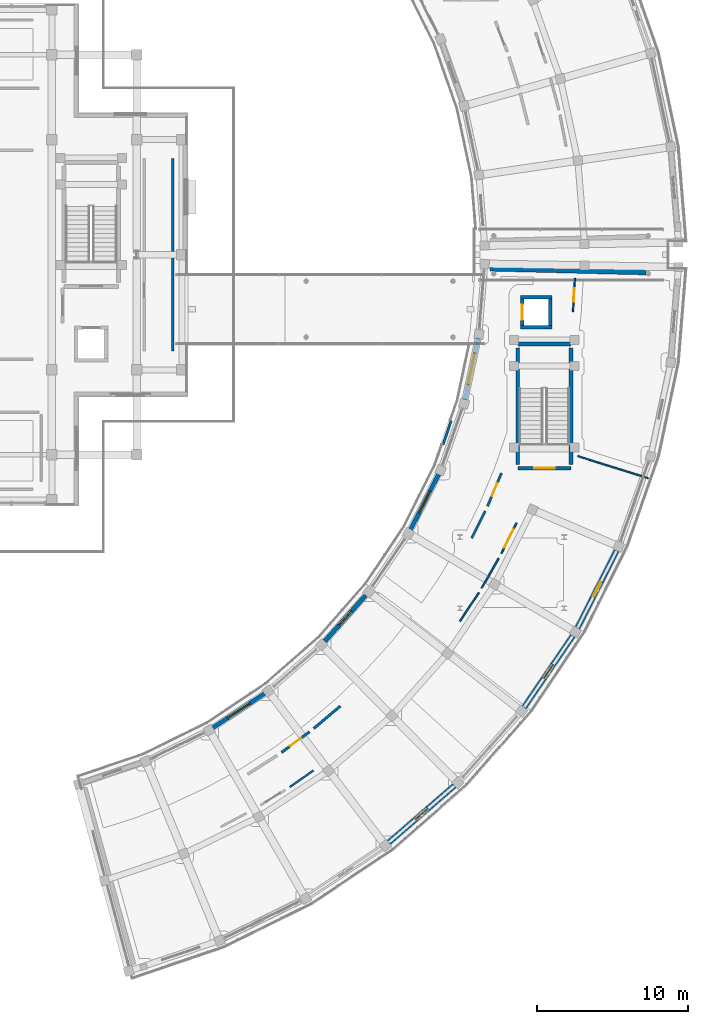
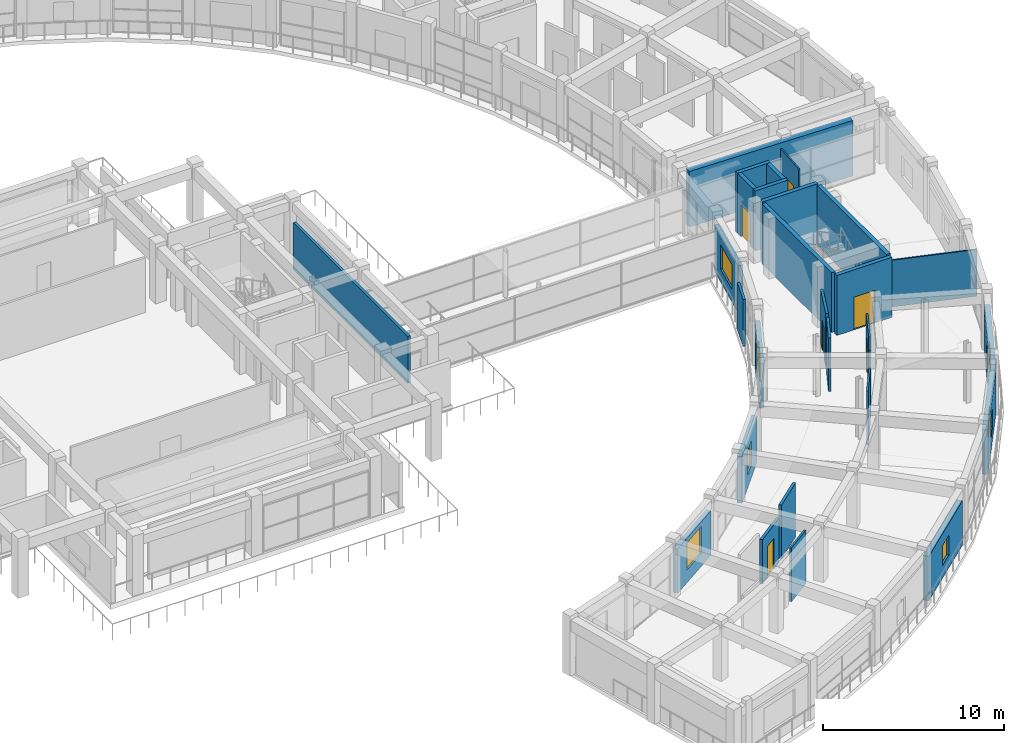
# One storey, part 36 of 53: 28 walls, 7 windows, 6 doors, 13 openings.
"""IFC4 building model written with IfcOpenShell, lengths in metres."""

from ifc_helpers import new_model, si_unit, direction, frame, frame_2d, origin, place, context, subcontext, project, spatial, rectangle, extrude, material, layer, layer_set, type_object, element, fill, save


model = new_model("IFC4")

# Units and contexts
model_context = context("Model", 3, precision=1e-05, world=origin(), true_north=direction((0.0, 1.0)))
body_context = subcontext(model_context, "Body", "Model", "MODEL_VIEW")
ifc_project = project(units=[si_unit("LENGTHUNIT", "METRE"), si_unit("AREAUNIT", "SQUARE_METRE"), si_unit("VOLUMEUNIT", "CUBIC_METRE"), si_unit("PLANEANGLEUNIT", "RADIAN"), si_unit("MASSUNIT", "GRAM", prefix="KILO")], contexts=[model_context])

# Site, building, storey
site_placement = place(None, origin())
site = spatial("IfcSite", under=ifc_project, at=site_placement, CompositionType="ELEMENT")
building_placement = place(site_placement, origin())
building = spatial("IfcBuilding", under=site, at=building_placement, Name="Saryqyr Civic Hall", CompositionType="ELEMENT")
storey_placement = place(building_placement, frame((0.0, 0.0, 21.300048828125)))
storey = spatial("IfcBuildingStorey", under=building, at=storey_placement, Name="L05", CompositionType="ELEMENT", Elevation=21.300048828125)

# Wall, opening, window
ifc_material_1 = material(Name="Precast concrete C40/50", Category="concrete")
ifc_layer_1 = layer(ifc_material_1, 0.2900390625, Name="Precast concrete C40/50")
ifc_layer_set_1 = layer_set([ifc_layer_1], Name="Precast concrete C40/50")
wall_type_1 = type_object("IfcWallType", Name="ENV-WAL-EXT-290", PredefinedType="STANDARD", material=ifc_layer_set_1)
wall_1_placement = place(storey_placement, frame((75.23095703125, 52.74560546875, 0.0), z_axis=(0.0, 0.0, 1.0), x_axis=(0.833763777336, 0.552121330508, 0.0)))
wall_1 = element("IfcWall", 1, at=wall_1_placement, inside=storey, type_object=wall_type_1, Name="Exterior wall V5-EWI-L05-02", PredefinedType="STANDARD", context=body_context, shape_type="SweptSolid", body=[
    extrude(rectangle(XDim=4.111572265625, YDim=0.2900390625, at=frame_2d((2.0556640625, 0.0))), origin(), (0.0, 0.0, 1.0), 3.0048828125),
])
opening_1_placement = place(wall_1_placement, frame((1.180908203125, 0.0, 0.85009765625)))
opening_1 = element("IfcOpeningElement", 2, at=opening_1_placement, cuts=wall_1, Name="Opening W-27", PredefinedType="OPENING", context=body_context, shape_type="SweptSolid", body=[
    extrude(rectangle(XDim=1.75, YDim=1.85009765625, at=frame_2d((0.875, 0.925048828125))), frame((0.0, 0.155029296875, 0.0), z_axis=(0.0, -1.0, 0.0), x_axis=(1.0, 0.0, 0.0)), (0.0, 0.0, 1.0), 0.31005859375),
])
ifc_material_2 = material(Name="Anodised aluminium and triple low-E glass", Category="aluminium")
window_type_1 = type_object("IfcWindowType", Name="ENV-WIN-W27", PartitioningType="SINGLE_PANEL", PredefinedType="WINDOW", material=ifc_material_2)
window_1_placement = place(opening_1_placement, origin())
window_1 = element("IfcWindow", 3, at=window_1_placement, inside=storey, type_object=window_type_1, Name="Courtyard window V5-L05-02", OverallHeight=1.85009765625, OverallWidth=1.75, PartitioningType="SINGLE_PANEL", PredefinedType="WINDOW", context=body_context, shape_type="SweptSolid", body=[
    extrude(rectangle(XDim=1.75, YDim=1.85009765625, at=frame_2d((0.875, 0.925048828125))), frame((0.0, 0.030029296875, 0.0), z_axis=(0.0, -1.0, 0.0), x_axis=(1.0, 0.0, 0.0)), (0.0, 0.0, 1.0), 0.06005859375),
])
fill(opening_1, window_1)

wall_2_placement = place(storey_placement, frame((82.635986328125, 58.468505859375, 0.0), z_axis=(0.0, 0.0, 1.0), x_axis=(0.664947894459, 0.74688974933, 0.0)))
wall_2 = element("IfcWall", 4, at=wall_2_placement, inside=storey, type_object=wall_type_1, Name="Exterior wall V5-EWI-L05-04", PredefinedType="STANDARD", context=body_context, shape_type="SweptSolid", body=[
    extrude(rectangle(XDim=4.046142578125, YDim=0.2900390625, at=frame_2d((2.02294921875, 0.0))), origin(), (0.0, 0.0, 1.0), 3.155029296875),
])
opening_2_placement = place(wall_2_placement, frame((1.423095703125, 0.0, 0.85009765625)))
opening_2 = element("IfcOpeningElement", 5, at=opening_2_placement, cuts=wall_2, Name="Opening W-17", PredefinedType="OPENING", context=body_context, shape_type="SweptSolid", body=[
    extrude(rectangle(XDim=1.199951171875, YDim=1.64990234375, at=frame_2d((0.60009765625, 0.824951171875))), frame((0.0, 0.155029296875, 0.0), z_axis=(0.0, -1.0, 0.0), x_axis=(1.0, 0.0, 0.0)), (0.0, 0.0, 1.0), 0.31005859375),
])
window_type_2 = type_object("IfcWindowType", Name="ENV-WIN-W17", PartitioningType="SINGLE_PANEL", PredefinedType="WINDOW", material=ifc_material_2)
window_2_placement = place(opening_2_placement, origin())
window_2 = element("IfcWindow", 6, at=window_2_placement, inside=storey, type_object=window_type_2, Name="Courtyard window V5-L05-04", OverallHeight=1.64990234375, OverallWidth=1.199951171875, PartitioningType="SINGLE_PANEL", PredefinedType="WINDOW", context=body_context, shape_type="SweptSolid", body=[
    extrude(rectangle(XDim=1.199951171875, YDim=1.64990234375, at=frame_2d((0.60009765625, 0.824951171875))), frame((0.0, 0.030029296875, 0.0), z_axis=(0.0, -1.0, 0.0), x_axis=(1.0, 0.0, 0.0)), (0.0, 0.0, 1.0), 0.06005859375),
])
fill(opening_2, window_2)

wall_3_placement = place(storey_placement, frame((88.28759765625, 65.823974609375, 0.0), z_axis=(0.0, 0.0, 1.0), x_axis=(0.451915465701, 0.89206076691, 0.0)))
wall_3 = element("IfcWall", 7, at=wall_3_placement, inside=storey, type_object=wall_type_1, Name="Exterior wall V5-EWI-L05-06", PredefinedType="STANDARD", context=body_context, shape_type="SweptSolid", body=[
    extrude(rectangle(XDim=4.1484375, YDim=0.2900390625, at=frame_2d((2.07421875, 0.0))), origin(), (0.0, 0.0, 1.0), 3.0048828125),
])
opening_3_placement = place(wall_3_placement, frame((1.27392578125, 0.0, 0.85009765625)))
opening_3 = element("IfcOpeningElement", 8, at=opening_3_placement, cuts=wall_3, Name="Opening W-19", PredefinedType="OPENING", context=body_context, shape_type="SweptSolid", body=[
    extrude(rectangle(XDim=1.60009765625, YDim=1.64990234375, at=frame_2d((0.800048828125, 0.824951171875))), frame((0.0, 0.155029296875, 0.0), z_axis=(0.0, -1.0, 0.0), x_axis=(1.0, 0.0, 0.0)), (0.0, 0.0, 1.0), 0.31005859375),
])
window_type_3 = type_object("IfcWindowType", Name="ENV-WIN-W19", PartitioningType="SINGLE_PANEL", PredefinedType="WINDOW", material=ifc_material_2)
window_3_placement = place(opening_3_placement, origin())
window_3 = element("IfcWindow", 9, at=window_3_placement, inside=storey, type_object=window_type_3, Name="Courtyard window V5-L05-06", OverallHeight=1.64990234375, OverallWidth=1.60009765625, PartitioningType="SINGLE_PANEL", PredefinedType="WINDOW", context=body_context, shape_type="SweptSolid", body=[
    extrude(rectangle(XDim=1.60009765625, YDim=1.64990234375, at=frame_2d((0.800048828125, 0.824951171875))), frame((0.0, 0.030029296875, 0.0), z_axis=(0.0, -1.0, 0.0), x_axis=(1.0, 0.0, 0.0)), (0.0, 0.0, 1.0), 0.06005859375),
])
fill(opening_3, window_3)

wall_4_placement = place(storey_placement, frame((91.889404296875, 74.40283203125, 0.0), z_axis=(0.0, 0.0, 1.0), x_axis=(0.208893062569, 0.977938489073, 0.0)))
wall_4 = element("IfcWall", 10, at=wall_4_placement, inside=storey, type_object=wall_type_1, Name="Exterior wall V5-EWI-L05-08", PredefinedType="STANDARD", context=body_context, shape_type="SweptSolid", body=[
    extrude(rectangle(XDim=4.194580078125, YDim=0.2900390625, at=frame_2d((2.09716796875, 0.0))), origin(), (0.0, 0.0, 1.0), 3.155029296875),
])
opening_4_placement = place(wall_4_placement, frame((1.047119140625, 0.0, 0.85009765625)))
opening_4 = element("IfcOpeningElement", 11, at=opening_4_placement, cuts=wall_4, Name="Opening W-21", PredefinedType="OPENING", context=body_context, shape_type="SweptSolid", body=[
    extrude(rectangle(XDim=2.10009765625, YDim=1.64990234375, at=frame_2d((1.050048828125, 0.824951171875))), frame((0.0, 0.155029296875, 0.0), z_axis=(0.0, -1.0, 0.0), x_axis=(1.0, 0.0, 0.0)), (0.0, 0.0, 1.0), 0.31005859375),
])
window_type_4 = type_object("IfcWindowType", Name="ENV-WIN-W21", PartitioningType="SINGLE_PANEL", PredefinedType="WINDOW", material=ifc_material_2)
window_4_placement = place(opening_4_placement, origin())
window_4 = element("IfcWindow", 12, at=window_4_placement, inside=storey, type_object=window_type_4, Name="Courtyard window V5-L05-08", OverallHeight=1.64990234375, OverallWidth=2.10009765625, PartitioningType="SINGLE_PANEL", PredefinedType="WINDOW", context=body_context, shape_type="SweptSolid", body=[
    extrude(rectangle(XDim=2.10009765625, YDim=1.64990234375, at=frame_2d((1.050048828125, 0.824951171875))), frame((0.0, 0.030029296875, 0.0), z_axis=(0.0, -1.0, 0.0), x_axis=(1.0, 0.0, 0.0)), (0.0, 0.0, 1.0), 0.06005859375),
])
fill(opening_4, window_4)

ifc_layer_2 = layer(ifc_material_1, 0.340087890625, Name="Precast concrete C40/50")
ifc_layer_set_2 = layer_set([ifc_layer_2], Name="Precast concrete C40/50")
wall_type_2 = type_object("IfcWallType", Name="ENV-WAL-EXT-340", PredefinedType="STANDARD", material=ifc_layer_set_2)
wall_5_placement = place(storey_placement, frame((91.1826171875, 48.9189453125, 0.0), z_axis=(0.0, 0.0, 1.0), x_axis=(-0.755648143479, -0.654977773101, 0.0)))
wall_5 = element("IfcWall", 13, at=wall_5_placement, inside=storey, type_object=wall_type_2, Name="Exterior wall V5-EWO-L05-03", PredefinedType="STANDARD", context=body_context, shape_type="SweptSolid", body=[
    extrude(rectangle(XDim=5.706298828125, YDim=0.340087890625, at=frame_2d((2.85302734375, 0.0))), origin(), (0.0, 0.0, 1.0), 3.0048828125),
])
opening_5_placement = place(wall_5_placement, frame((2.302978515625, 0.0, 0.85009765625)))
opening_5 = element("IfcOpeningElement", 14, at=opening_5_placement, cuts=wall_5, Name="Opening W-01", PredefinedType="OPENING", context=body_context, shape_type="SweptSolid", body=[
    extrude(rectangle(XDim=1.10009765625, YDim=1.35009765625, at=frame_2d((0.550048828125, 0.675048828125))), frame((0.0, 0.179931640625, 0.0), z_axis=(0.0, -1.0, 0.0), x_axis=(1.0, 0.0, 0.0)), (0.0, 0.0, 1.0), 0.360107421875),
])
window_type_5 = type_object("IfcWindowType", Name="ENV-WIN-W01", PartitioningType="SINGLE_PANEL", PredefinedType="WINDOW", material=ifc_material_2)
window_5_placement = place(opening_5_placement, origin())
window_5 = element("IfcWindow", 15, at=window_5_placement, inside=storey, type_object=window_type_5, Name="Exterior ribbon window V5-L05-03", OverallHeight=1.35009765625, OverallWidth=1.10009765625, PartitioningType="SINGLE_PANEL", PredefinedType="WINDOW", context=body_context, shape_type="SweptSolid", body=[
    extrude(rectangle(XDim=1.10009765625, YDim=1.35009765625, at=frame_2d((0.550048828125, 0.675048828125))), frame((0.0, 0.030029296875, 0.0), z_axis=(0.0, -1.0, 0.0), x_axis=(1.0, 0.0, 0.0)), (0.0, 0.0, 1.0), 0.06005859375),
])
fill(opening_5, window_5)

wall_6_placement = place(storey_placement, frame((99.029296875, 58.843994140625, 0.0), z_axis=(0.0, 0.0, 1.0), x_axis=(-0.563132935525, -0.826366321269, 0.0)))
wall_6 = element("IfcWall", 16, at=wall_6_placement, inside=storey, type_object=wall_type_2, Name="Exterior wall V5-EWO-L05-05", PredefinedType="STANDARD", context=body_context, shape_type="SweptSolid", body=[
    extrude(rectangle(XDim=5.759521484375, YDim=0.340087890625, at=frame_2d((2.8798828125, 0.0))), origin(), (0.0, 0.0, 1.0), 3.0048828125),
])
opening_6_placement = place(wall_6_placement, frame((2.330078125, 0.0, 0.85009765625)))
opening_6 = element("IfcOpeningElement", 17, at=opening_6_placement, cuts=wall_6, Name="Opening W-01", PredefinedType="OPENING", context=body_context, shape_type="SweptSolid", body=[
    extrude(rectangle(XDim=1.10009765625, YDim=1.35009765625, at=frame_2d((0.550048828125, 0.675048828125))), frame((0.0, 0.179931640625, 0.0), z_axis=(0.0, -1.0, 0.0), x_axis=(1.0, 0.0, 0.0)), (0.0, 0.0, 1.0), 0.360107421875),
])
window_6_placement = place(opening_6_placement, origin())
window_6 = element("IfcWindow", 18, at=window_6_placement, inside=storey, type_object=window_type_5, Name="Exterior ribbon window V5-L05-05", OverallHeight=1.35009765625, OverallWidth=1.10009765625, PartitioningType="SINGLE_PANEL", PredefinedType="WINDOW", context=body_context, shape_type="SweptSolid", body=[
    extrude(rectangle(XDim=1.10009765625, YDim=1.35009765625, at=frame_2d((0.550048828125, 0.675048828125))), frame((0.0, 0.030029296875, 0.0), z_axis=(0.0, -1.0, 0.0), x_axis=(1.0, 0.0, 0.0)), (0.0, 0.0, 1.0), 0.06005859375),
])
fill(opening_6, window_6)

wall_7_placement = place(storey_placement, frame((101.930419921875, 64.489501953125, 0.0), z_axis=(0.0, 0.0, 1.0), x_axis=(-0.451920591159, -0.892058170349, 0.0)))
wall_7 = element("IfcWall", 19, at=wall_7_placement, inside=storey, type_object=wall_type_2, Name="Exterior wall V5-EWO-L05-06", PredefinedType="STANDARD", context=body_context, shape_type="SweptSolid", body=[
    extrude(rectangle(XDim=5.801513671875, YDim=0.340087890625, at=frame_2d((2.90087890625, 0.0))), origin(), (0.0, 0.0, 1.0), 3.0048828125),
])
opening_7_placement = place(wall_7_placement, frame((2.35107421875, 0.0, 0.85009765625)))
opening_7 = element("IfcOpeningElement", 20, at=opening_7_placement, cuts=wall_7, Name="Opening W-01", PredefinedType="OPENING", context=body_context, shape_type="SweptSolid", body=[
    extrude(rectangle(XDim=1.10009765625, YDim=1.35009765625, at=frame_2d((0.550048828125, 0.675048828125))), frame((0.0, 0.179931640625, 0.0), z_axis=(0.0, -1.0, 0.0), x_axis=(1.0, 0.0, 0.0)), (0.0, 0.0, 1.0), 0.360107421875),
])
window_7_placement = place(opening_7_placement, origin())
window_7 = element("IfcWindow", 21, at=window_7_placement, inside=storey, type_object=window_type_5, Name="Exterior ribbon window V5-L05-06", OverallHeight=1.35009765625, OverallWidth=1.10009765625, PartitioningType="SINGLE_PANEL", PredefinedType="WINDOW", context=body_context, shape_type="SweptSolid", body=[
    extrude(rectangle(XDim=1.10009765625, YDim=1.35009765625, at=frame_2d((0.550048828125, 0.675048828125))), frame((0.0, 0.030029296875, 0.0), z_axis=(0.0, -1.0, 0.0), x_axis=(1.0, 0.0, 0.0)), (0.0, 0.0, 1.0), 0.06005859375),
])
fill(opening_7, window_7)

# Wall
ifc_material_3 = material(Name="Concrete C40/50", Category="concrete")
ifc_layer_3 = layer(ifc_material_3, 0.3798828125, Name="Concrete C40/50")
ifc_layer_set_3 = layer_set([ifc_layer_3], Name="Concrete C40/50")
wall_type_3 = type_object("IfcWallType", Name="ENV-WAL-PTY-380", PredefinedType="SHEAR", material=ifc_layer_set_3)
wall_8_placement = place(storey_placement, frame((93.5390625, 83.10693359375, 0.0), z_axis=(0.0, 0.0, 1.0), x_axis=(0.999701591947, -0.024427997417, 0.0)))
element("IfcWall", 22, at=wall_8_placement, inside=storey, type_object=wall_type_3, Name="Exterior wall V5-JNTW-B-L05", PredefinedType="SHEAR", context=body_context, shape_type="SweptSolid", body=[
    extrude(rectangle(XDim=10.314208984375, YDim=0.3798828125, at=frame_2d((5.1572265625, 0.0))), origin(), (0.0, 0.0, 1.0), 3.75),
])

# Wall, opening, door
ifc_material_4 = material(Name="Lightweight demountable partition", Category="gypsum")
ifc_layer_4 = layer(ifc_material_4, 0.094970703125, Name="Lightweight demountable partition")
ifc_layer_set_4 = layer_set([ifc_layer_4], Name="Lightweight demountable partition")
wall_type_4 = type_object("IfcWallType", Name="INT-WAL-PRT-095", PredefinedType="PARTITIONING", material=ifc_layer_set_4)
wall_9_placement = place(storey_placement, frame((99.02490234375, 80.223876953125, 0.0), z_axis=(0.0, 0.0, 1.0), x_axis=(0.058613248542, 0.998280765664, 0.0)))
wall_9 = element("IfcWall", 23, at=wall_9_placement, inside=storey, type_object=wall_type_4, Name="Interior partition PRT-SP-V5-L05-R03-W1", PredefinedType="PARTITIONING", context=body_context, shape_type="SweptSolid", body=[
    extrude(rectangle(XDim=2.23681640625, YDim=0.094970703125, at=frame_2d((1.118408203125, 0.0))), origin(), (0.0, 0.0, 1.0), 3.6298828125),
])
opening_8_placement = place(wall_9_placement, frame((0.66796875, 0.0, 0.0)))
opening_8 = element("IfcOpeningElement", 24, at=opening_8_placement, cuts=wall_9, Name="Opening D-01", PredefinedType="OPENING", context=body_context, shape_type="SweptSolid", body=[
    extrude(rectangle(XDim=0.89990234375, YDim=2.10009765625, at=frame_2d((0.449951171875, 1.050048828125))), frame((0.0, 0.057373046875, 0.0), z_axis=(0.0, -1.0, 0.0), x_axis=(1.0, 0.0, 0.0)), (0.0, 0.0, 1.0), 0.114990234375),
])
ifc_material_5 = material(Name="Acoustic solid-core oak veneer", Category="wood")
door_type_1 = type_object("IfcDoorType", Name="INT-DR-D-01", OperationType="NOTDEFINED", PredefinedType="DOOR", material=ifc_material_5)
door_1_placement = place(opening_8_placement, origin())
door_1 = element("IfcDoor", 25, at=door_1_placement, inside=storey, type_object=door_type_1, Name="Interior door Members' Lounge & Accessible MGN WC L05-E", OperationType="SINGLE_SWING_LEFT", OverallHeight=2.10009765625, OverallWidth=0.89990234375, PredefinedType="DOOR", context=body_context, shape_type="SweptSolid", body=[
    extrude(rectangle(XDim=0.89990234375, YDim=2.10009765625, at=frame_2d((0.449951171875, 1.050048828125))), frame((0.0, 0.02490234375, 0.0), z_axis=(0.0, -1.0, 0.0), x_axis=(1.0, 0.0, 0.0)), (0.0, 0.0, 1.0), 0.050048828125),
])
fill(opening_8, door_1)

# Walls
wall_10_placement = place(storey_placement, frame((103.998046875, 69.23388671875, 0.0), z_axis=(0.0, 0.0, 1.0), x_axis=(-0.953940529117, 0.299995778149, 0.0)))
element("IfcWall", 26, at=wall_10_placement, inside=storey, type_object=wall_type_4, Name="Interior partition PRT-SP-V5-L05-R03-W2", PredefinedType="PARTITIONING", context=body_context, shape_type="SweptSolid", body=[
    extrude(rectangle(XDim=4.8779296875, YDim=0.094970703125, at=frame_2d((2.43896484375, 0.0))), origin(), (0.0, 0.0, 1.0), 3.155029296875),
])
ifc_material_6 = material(Name="Moisture-resistant gypsum partition", Category="gypsum")
ifc_layer_5 = layer(ifc_material_6, 0.110107421875, Name="Moisture-resistant gypsum partition")
ifc_layer_set_5 = layer_set([ifc_layer_5], Name="Moisture-resistant gypsum partition")
wall_type_5 = type_object("IfcWallType", Name="INT-WAL-PRT-110", PredefinedType="PARTITIONING", material=ifc_layer_set_5)
wall_11_placement = place(storey_placement, frame((92.995361328125, 61.9833984375, 0.0), z_axis=(0.0, 0.0, 1.0), x_axis=(0.498777577471, 0.866730020371, 0.0)))
element("IfcWall", 27, at=wall_11_placement, inside=storey, type_object=wall_type_5, Name="Interior partition PRT-SP-V5-L05-R02-W1", PredefinedType="PARTITIONING", context=body_context, shape_type="SweptSolid", body=[
    extrude(rectangle(XDim=2.260009765625, YDim=0.110107421875, at=frame_2d((1.1298828125, 0.0))), origin(), (0.0, 0.0, 1.0), 3.0048828125),
])
wall_12_placement = place(storey_placement, frame((91.559814453125, 59.7919921875, 0.0), z_axis=(0.0, 0.0, 1.0), x_axis=(0.551555325105, 0.834138311881, 0.0)))
element("IfcWall", 28, at=wall_12_placement, inside=storey, type_object=wall_type_5, Name="Interior partition PRT-SP-V5-L05-R02-W2", PredefinedType="PARTITIONING", context=body_context, shape_type="SweptSolid", body=[
    extrude(rectangle(XDim=2.260009765625, YDim=0.110107421875, at=frame_2d((1.1298828125, 0.0))), origin(), (0.0, 0.0, 1.0), 3.6298828125),
])

# Wall, opening, door
wall_13_placement = place(storey_placement, frame((94.292236328125, 64.259521484375, 0.0), z_axis=(0.0, 0.0, 1.0), x_axis=(0.444056726706, 0.895998673809, 0.0)))
wall_13 = element("IfcWall", 29, at=wall_13_placement, inside=storey, type_object=wall_type_5, Name="Interior partition PRT-SP-V5-L05-R02-W3", PredefinedType="PARTITIONING", context=body_context, shape_type="SweptSolid", body=[
    extrude(rectangle(XDim=2.26025390625, YDim=0.110107421875, at=frame_2d((1.130126953125, 0.0))), origin(), (0.0, 0.0, 1.0), 3.6298828125),
])
opening_9_placement = place(wall_13_placement, frame((0.429931640625, 0.0, 0.0)))
opening_9 = element("IfcOpeningElement", 30, at=opening_9_placement, cuts=wall_13, Name="Opening D-18", PredefinedType="OPENING", context=body_context, shape_type="SweptSolid", body=[
    extrude(rectangle(XDim=1.39990234375, YDim=2.35009765625, at=frame_2d((0.699951171875, 1.175048828125))), frame((0.0, 0.06494140625, 0.0), z_axis=(0.0, -1.0, 0.0), x_axis=(1.0, 0.0, 0.0)), (0.0, 0.0, 1.0), 0.130126953125),
])
door_type_2 = type_object("IfcDoorType", Name="INT-DR-D-18", OperationType="NOTDEFINED", PredefinedType="DOOR", material=ifc_material_5)
door_2_placement = place(opening_9_placement, origin())
door_2 = element("IfcDoor", 31, at=door_2_placement, inside=storey, type_object=door_type_2, Name="Interior door Elected Members' Working Offices", OperationType="SINGLE_SWING_RIGHT", OverallHeight=2.35009765625, OverallWidth=1.39990234375, PredefinedType="DOOR", context=body_context, shape_type="SweptSolid", body=[
    extrude(rectangle(XDim=1.39990234375, YDim=2.35009765625, at=frame_2d((0.699951171875, 1.175048828125))), frame((0.0, 0.02490234375, 0.0), z_axis=(0.0, -1.0, 0.0), x_axis=(1.0, 0.0, 0.0)), (0.0, 0.0, 1.0), 0.050048828125),
])
fill(opening_9, door_2)

# Wall
ifc_material_7 = material(Name="Metal-stud gypsum board partition", Category="gypsum")
ifc_layer_6 = layer(ifc_material_7, 0.125, Name="Metal-stud gypsum board partition")
ifc_layer_set_6 = layer_set([ifc_layer_6], Name="Metal-stud gypsum board partition")
wall_type_6 = type_object("IfcWallType", Name="INT-WAL-PRT-125", PredefinedType="PARTITIONING", material=ifc_layer_set_6)
wall_14_placement = place(storey_placement, frame((80.319580078125, 48.834716796875, 0.0), z_axis=(0.0, 0.0, 1.0), x_axis=(0.818190069191, 0.574947833005, 0.0)))
element("IfcWall", 32, at=wall_14_placement, inside=storey, type_object=wall_type_6, Name="Interior partition PRT-SP-V5-L05-R01-W2", PredefinedType="PARTITIONING", context=body_context, shape_type="SweptSolid", body=[
    extrude(rectangle(XDim=1.906982421875, YDim=0.125, at=frame_2d((0.95361328125, 0.0))), origin(), (0.0, 0.0, 1.0), 3.6298828125),
])

# Wall, opening, door
ifc_material_8 = material(Name="Acoustic double-stud gypsum board", Category="gypsum")
ifc_layer_7 = layer(ifc_material_8, 0.155029296875, Name="Acoustic double-stud gypsum board")
ifc_layer_set_7 = layer_set([ifc_layer_7], Name="Acoustic double-stud gypsum board")
wall_type_7 = type_object("IfcWallType", Name="INT-WAL-PRT-155", PredefinedType="PARTITIONING", material=ifc_layer_set_7)
wall_15_placement = place(storey_placement, frame((94.302490234375, 69.575439453125, 0.0), z_axis=(0.0, 0.0, 1.0), x_axis=(-0.388172287911, -0.921586824395, 0.0)))
wall_15 = element("IfcWall", 33, at=wall_15_placement, inside=storey, type_object=wall_type_7, Name="Interior partition PRT-SP-V5-L05-R05-W1", PredefinedType="PARTITIONING", context=body_context, shape_type="SweptSolid", body=[
    extrude(rectangle(XDim=2.36669921875, YDim=0.155029296875, at=frame_2d((1.183349609375, 0.0))), origin(), (0.0, 0.0, 1.0), 3.6298828125),
])
opening_10_placement = place(wall_15_placement, frame((0.73291015625, 0.0, 0.0)))
opening_10 = element("IfcOpeningElement", 34, at=opening_10_placement, cuts=wall_15, Name="Opening D-01", PredefinedType="OPENING", context=body_context, shape_type="SweptSolid", body=[
    extrude(rectangle(XDim=0.89990234375, YDim=2.10009765625, at=frame_2d((0.449951171875, 1.050048828125))), frame((0.0, 0.08740234375, 0.0), z_axis=(0.0, -1.0, 0.0), x_axis=(1.0, 0.0, 0.0)), (0.0, 0.0, 1.0), 0.175048828125),
])
door_3_placement = place(opening_10_placement, origin())
door_3 = element("IfcDoor", 35, at=door_3_placement, inside=storey, type_object=door_type_1, Name="Interior door Council Secretariat & Verbatim Office", OperationType="SINGLE_SWING_LEFT", OverallHeight=2.10009765625, OverallWidth=0.89990234375, PredefinedType="DOOR", context=body_context, shape_type="SweptSolid", body=[
    extrude(rectangle(XDim=0.89990234375, YDim=2.10009765625, at=frame_2d((0.449951171875, 1.050048828125))), frame((0.0, 0.02490234375, 0.0), z_axis=(0.0, -1.0, 0.0), x_axis=(1.0, 0.0, 0.0)), (0.0, 0.0, 1.0), 0.050048828125),
])
fill(opening_10, door_3)

# Walls
wall_16_placement = place(storey_placement, frame((90.431884765625, 71.437255859375, 0.0), z_axis=(0.0, 0.0, 1.0), x_axis=(0.324463429437, 0.945898241334, 0.0)))
element("IfcWall", 36, at=wall_16_placement, inside=storey, type_object=wall_type_7, Name="Interior partition PRT-SP-V5-L05-R05-W2", PredefinedType="PARTITIONING", context=body_context, shape_type="SweptSolid", body=[
    extrude(rectangle(XDim=1.705078125, YDim=0.155029296875, at=frame_2d((0.8525390625, 0.0))), origin(), (0.0, 0.0, 1.0), 3.155029296875),
])
wall_17_placement = place(storey_placement, frame((93.23291015625, 67.067626953125, 0.0), z_axis=(0.0, 0.0, 1.0), x_axis=(-0.449901200246, -0.89307833364, 0.0)))
element("IfcWall", 37, at=wall_17_placement, inside=storey, type_object=wall_type_7, Name="Interior partition PRT-SP-V5-L05-R05-W3", PredefinedType="PARTITIONING", context=body_context, shape_type="SweptSolid", body=[
    extrude(rectangle(XDim=1.9970703125, YDim=0.155029296875, at=frame_2d((0.99853515625, 0.0))), origin(), (0.0, 0.0, 1.0), 3.6298828125),
])

# Wall, opening, door
ifc_layer_8 = layer(ifc_material_8, 0.169921875, Name="Acoustic double-stud gypsum board")
ifc_layer_set_8 = layer_set([ifc_layer_8], Name="Acoustic double-stud gypsum board")
wall_type_8 = type_object("IfcWallType", Name="INT-WAL-PRT-170", PredefinedType="PARTITIONING", material=ifc_layer_set_8)
wall_18_placement = place(storey_placement, frame((81.62109375, 52.482421875, 0.0), z_axis=(0.0, 0.0, 1.0), x_axis=(-0.805421378713, -0.59270262587, 0.0)))
wall_18 = element("IfcWall", 38, at=wall_18_placement, inside=storey, type_object=wall_type_8, Name="Interior partition PRT-SP-V5-L05-R04-W1", PredefinedType="PARTITIONING", context=body_context, shape_type="SweptSolid", body=[
    extrude(rectangle(XDim=2.298828125, YDim=0.169921875, at=frame_2d((1.1494140625, 0.0))), origin(), (0.0, 0.0, 1.0), 3.0048828125),
])
opening_11_placement = place(wall_18_placement, frame((0.698974609375, 0.0, 0.0)))
opening_11 = element("IfcOpeningElement", 39, at=opening_11_placement, cuts=wall_18, Name="Opening D-01", PredefinedType="OPENING", context=body_context, shape_type="SweptSolid", body=[
    extrude(rectangle(XDim=0.89990234375, YDim=2.10009765625, at=frame_2d((0.449951171875, 1.050048828125))), frame((0.0, 0.094970703125, 0.0), z_axis=(0.0, -1.0, 0.0), x_axis=(1.0, 0.0, 0.0)), (0.0, 0.0, 1.0), 0.18994140625),
])
door_4_placement = place(opening_11_placement, origin())
door_4 = element("IfcDoor", 40, at=door_4_placement, inside=storey, type_object=door_type_1, Name="Interior door Standing Committee Room 7 (Civic Resilience)", OperationType="SINGLE_SWING_RIGHT", OverallHeight=2.10009765625, OverallWidth=0.89990234375, PredefinedType="DOOR", context=body_context, shape_type="SweptSolid", body=[
    extrude(rectangle(XDim=0.89990234375, YDim=2.10009765625, at=frame_2d((0.449951171875, 1.050048828125))), frame((0.0, 0.02490234375, 0.0), z_axis=(0.0, -1.0, 0.0), x_axis=(1.0, 0.0, 0.0)), (0.0, 0.0, 1.0), 0.050048828125),
])
fill(opening_11, door_4)

# Walls
wall_19_placement = place(storey_placement, frame((83.660400390625, 54.1875, 0.0), z_axis=(0.0, 0.0, 1.0), x_axis=(-0.764271853176, -0.64489420407, 0.0)))
element("IfcWall", 41, at=wall_19_placement, inside=storey, type_object=wall_type_8, Name="Interior partition PRT-SP-V5-L05-R04-W3", PredefinedType="PARTITIONING", context=body_context, shape_type="SweptSolid", body=[
    extrude(rectangle(XDim=2.298583984375, YDim=0.169921875, at=frame_2d((1.1494140625, 0.0))), origin(), (0.0, 0.0, 1.0), 3.6298828125),
])
wall_20_placement = place(storey_placement, frame((72.60009765625, 90.35009765625, 0.0), z_axis=(0.0, 0.0, 1.0), x_axis=(0.0, -1.0, 0.0)))
element("IfcWall", 42, at=wall_20_placement, inside=storey, type_object=wall_type_8, Name="Interior partition PRT-SP-V1-L05-R05-W2", PredefinedType="PARTITIONING", context=body_context, shape_type="SweptSolid", body=[
    extrude(rectangle(XDim=12.7001953125, YDim=0.169921875, at=frame_2d((6.35009765625, 0.0))), origin(), (0.0, 0.0, 1.0), 3.1650390625),
])
ifc_layer_9 = layer(ifc_material_3, 0.239990234375, Name="Concrete C40/50")
ifc_layer_set_9 = layer_set([ifc_layer_9], Name="Concrete C40/50")
wall_type_9 = type_object("IfcWallType", Name="INT-WAL-SHR-240", PredefinedType="SHEAR", material=ifc_layer_set_9)
wall_21_placement = place(storey_placement, frame((97.64990234375, 79.219970703125, 0.0), z_axis=(0.0, 0.0, 1.0), x_axis=(-1.0, 0.0, 0.0)))
element("IfcWall", 43, at=wall_21_placement, inside=storey, type_object=wall_type_9, Name="Lift shaft shear wall LF-07-SHW-S-L05", PredefinedType="SHEAR", context=body_context, shape_type="SweptSolid", body=[
    extrude(rectangle(XDim=2.099853515625, YDim=0.239990234375, at=frame_2d((1.0498046875, 0.0))), origin(), (0.0, 0.0, 1.0), 4.050048828125),
])
wall_22_placement = place(storey_placement, frame((97.530029296875, 81.06005859375, 0.0), z_axis=(0.0, 0.0, 1.0), x_axis=(0.0, -1.0, 0.0)))
element("IfcWall", 44, at=wall_22_placement, inside=storey, type_object=wall_type_9, Name="Lift shaft shear wall LF-07-SHW-E-L05", PredefinedType="SHEAR", context=body_context, shape_type="SweptSolid", body=[
    extrude(rectangle(XDim=1.719970703125, YDim=0.239990234375, at=frame_2d((0.85986328125, 0.0))), origin(), (0.0, 0.0, 1.0), 4.050048828125),
])
wall_23_placement = place(storey_placement, frame((95.550048828125, 81.179931640625, 0.0), z_axis=(0.0, 0.0, 1.0), x_axis=(1.0, 0.0, 0.0)))
element("IfcWall", 45, at=wall_23_placement, inside=storey, type_object=wall_type_9, Name="Lift shaft shear wall LF-07-SHW-N-L05", PredefinedType="SHEAR", context=body_context, shape_type="SweptSolid", body=[
    extrude(rectangle(XDim=2.099853515625, YDim=0.239990234375, at=frame_2d((1.0498046875, 0.0))), origin(), (0.0, 0.0, 1.0), 4.050048828125),
])

# Wall, opening, door
wall_24_placement = place(storey_placement, frame((95.669921875, 79.340087890625, 0.0), z_axis=(0.0, 0.0, 1.0), x_axis=(0.0, 1.0, 0.0)))
wall_24 = element("IfcWall", 46, at=wall_24_placement, inside=storey, type_object=wall_type_9, Name="Lift shaft shear wall LF-07-SHW-W-L05", PredefinedType="SHEAR", context=body_context, shape_type="SweptSolid", body=[
    extrude(rectangle(XDim=1.719970703125, YDim=0.239990234375, at=frame_2d((0.85986328125, 0.0))), origin(), (0.0, 0.0, 1.0), 4.050048828125),
])
opening_12_placement = place(wall_24_placement, frame((0.360107421875, 0.0, 0.0)))
opening_12 = element("IfcOpeningElement", 47, at=opening_12_placement, cuts=wall_24, Name="Opening LD-02", PredefinedType="OPENING", context=body_context, shape_type="SweptSolid", body=[
    extrude(rectangle(XDim=1.0, YDim=2.14990234375, at=frame_2d((0.5, 1.074951171875))), frame((0.0, 0.1298828125, 0.0), z_axis=(0.0, -1.0, 0.0), x_axis=(1.0, 0.0, 0.0)), (0.0, 0.0, 1.0), 0.260009765625),
])
ifc_material_9 = material(Name="Brushed stainless steel", Category="steel")
door_type_3 = type_object("IfcDoorType", Name="INT-DR-LD-1000x2150", OperationType="NOTDEFINED", PredefinedType="DOOR", material=ifc_material_9)
door_5_placement = place(opening_12_placement, origin())
door_5 = element("IfcDoor", 48, at=door_5_placement, inside=storey, type_object=door_type_3, Name="Lift sliding landing door LF-07 L05", OperationType="SLIDING_TO_LEFT", OverallHeight=2.14990234375, OverallWidth=1.0, PredefinedType="DOOR", context=body_context, shape_type="SweptSolid", body=[
    extrude(rectangle(XDim=1.0, YDim=2.14990234375, at=frame_2d((0.5, 1.074951171875))), frame((0.0, 0.02490234375, 0.0), z_axis=(0.0, -1.0, 0.0), x_axis=(1.0, 0.0, 0.0)), (0.0, 0.0, 1.0), 0.050048828125),
])
fill(opening_12, door_5)

ifc_layer_10 = layer(ifc_material_3, 0.25, Name="Concrete C40/50")
ifc_layer_set_10 = layer_set([ifc_layer_10], Name="Concrete C40/50")
wall_type_10 = type_object("IfcWallType", Name="INT-WAL-SHR-250", PredefinedType="SHEAR", material=ifc_layer_set_10)
wall_25_placement = place(storey_placement, frame((98.89990234375, 69.89990234375, 0.0), z_axis=(0.0, 0.0, 1.0), x_axis=(-1.0, 0.0, 0.0)))
wall_25 = element("IfcWall", 49, at=wall_25_placement, inside=storey, type_object=wall_type_10, Name="Protected stair shaft wall ST-5-SW1-L05", PredefinedType="SHEAR", context=body_context, shape_type="SweptSolid", body=[
    extrude(rectangle(XDim=3.52001953125, YDim=0.25, at=frame_2d((1.760009765625, 0.0))), origin(), (0.0, 0.0, 1.0), 4.050048828125),
])
opening_13_placement = place(wall_25_placement, frame((1.0849609375, 0.0, 0.0)))
opening_13 = element("IfcOpeningElement", 50, at=opening_13_placement, cuts=wall_25, Name="Opening SD-01", PredefinedType="OPENING", context=body_context, shape_type="SweptSolid", body=[
    extrude(rectangle(XDim=1.35009765625, YDim=2.199951171875, at=frame_2d((0.675048828125, 1.10009765625))), frame((0.0, 0.135009765625, 0.0), z_axis=(0.0, -1.0, 0.0), x_axis=(1.0, 0.0, 0.0)), (0.0, 0.0, 1.0), 0.27001953125),
])
ifc_material_10 = material(Name="Painted galvanized steel", Category="steel")
door_type_4 = type_object("IfcDoorType", Name="INT-DR-STAIR-1350x2200", OperationType="NOTDEFINED", PredefinedType="DOOR", material=ifc_material_10)
door_6_placement = place(opening_13_placement, origin())
door_6 = element("IfcDoor", 51, at=door_6_placement, inside=storey, type_object=door_type_4, Name="Exit stair landing fire door ST-5-L05", OperationType="SINGLE_SWING_LEFT", OverallHeight=2.199951171875, OverallWidth=1.35009765625, PredefinedType="DOOR", context=body_context, shape_type="SweptSolid", body=[
    extrude(rectangle(XDim=1.35009765625, YDim=2.199951171875, at=frame_2d((0.675048828125, 1.10009765625))), frame((0.0, 0.02490234375, 0.0), z_axis=(0.0, -1.0, 0.0), x_axis=(1.0, 0.0, 0.0)), (0.0, 0.0, 1.0), 0.050048828125),
])
fill(opening_13, door_6)

# Walls
wall_26_placement = place(storey_placement, frame((95.3798828125, 70.14990234375, 0.0), z_axis=(0.0, 0.0, 1.0), x_axis=(0.0, 1.0, 0.0)))
element("IfcWall", 52, at=wall_26_placement, inside=storey, type_object=wall_type_10, Name="Protected stair shaft wall ST-5-SW2-L05", PredefinedType="SHEAR", context=body_context, shape_type="SweptSolid", body=[
    extrude(rectangle(XDim=7.7001953125, YDim=0.25, at=frame_2d((3.85009765625, 0.0))), origin(), (0.0, 0.0, 1.0), 4.050048828125),
])
wall_27_placement = place(storey_placement, frame((95.3798828125, 78.10009765625, 0.0), z_axis=(0.0, 0.0, 1.0), x_axis=(1.0, 0.0, 0.0)))
element("IfcWall", 53, at=wall_27_placement, inside=storey, type_object=wall_type_10, Name="Protected stair shaft wall ST-5-SW3-L05", PredefinedType="SHEAR", context=body_context, shape_type="SweptSolid", body=[
    extrude(rectangle(XDim=3.52001953125, YDim=0.25, at=frame_2d((1.760009765625, 0.0))), origin(), (0.0, 0.0, 1.0), 4.050048828125),
])
wall_28_placement = place(storey_placement, frame((98.89990234375, 77.85009765625, 0.0), z_axis=(0.0, 0.0, 1.0), x_axis=(0.0, -1.0, 0.0)))
element("IfcWall", 54, at=wall_28_placement, inside=storey, type_object=wall_type_10, Name="Protected stair shaft wall ST-5-SW4-L05", PredefinedType="SHEAR", context=body_context, shape_type="SweptSolid", body=[
    extrude(rectangle(XDim=7.7001953125, YDim=0.25, at=frame_2d((3.85009765625, 0.0))), origin(), (0.0, 0.0, 1.0), 4.050048828125),
])

save(model, "model.ifc")
